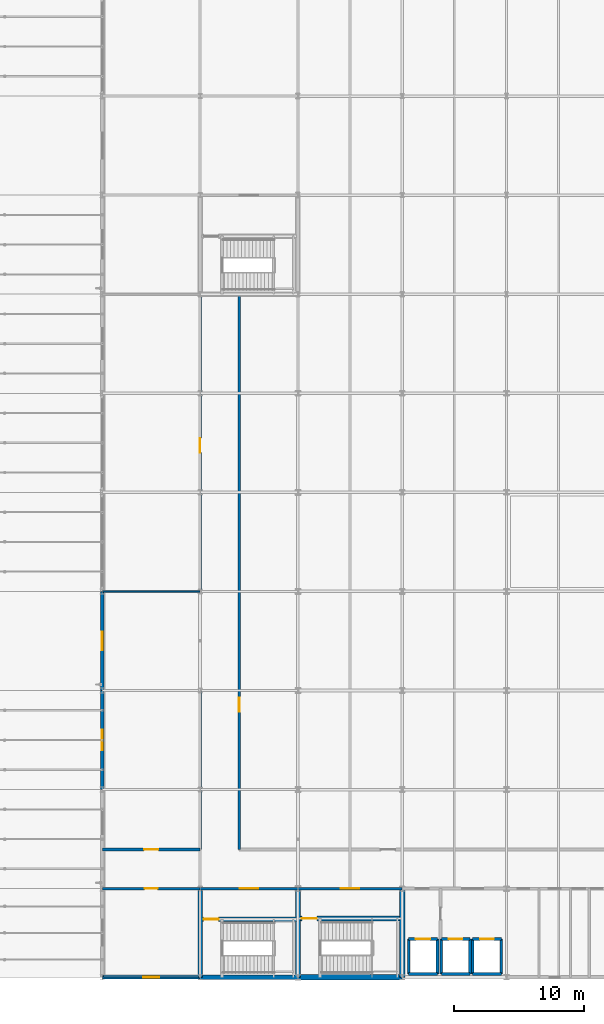
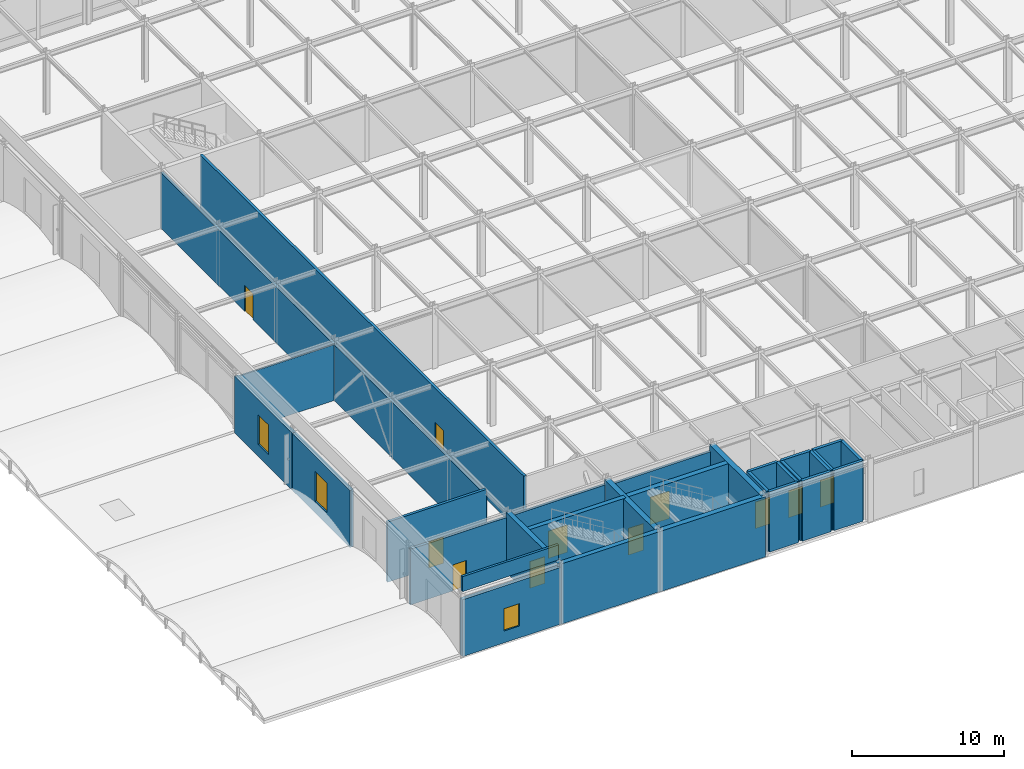
# One storey, part 57 of 79: 30 walls, 11 doors, 3 windows, 14 openings.
"""IFC4 building model written with IfcOpenShell, lengths in metres."""

from ifc_helpers import new_model, si_unit, direction, frame, frame_2d, origin, place, context, subcontext, project, spatial, rectangle, extrude, material, layer, layer_set, type_object, element, fill, save


model = new_model("IFC4")

# Units and contexts
model_context = context("Model", 3, precision=1e-05, world=origin(), true_north=direction((0.0, 1.0)))
body_context = subcontext(model_context, "Body", "Model", "MODEL_VIEW")
ifc_project = project(units=[si_unit("LENGTHUNIT", "METRE"), si_unit("AREAUNIT", "SQUARE_METRE"), si_unit("VOLUMEUNIT", "CUBIC_METRE"), si_unit("PLANEANGLEUNIT", "RADIAN"), si_unit("MASSUNIT", "GRAM", prefix="KILO")], contexts=[model_context])

# Site, building, storey
site_placement = place(None, origin())
site = spatial("IfcSite", under=ifc_project, at=site_placement, CompositionType="ELEMENT")
building_placement = place(site_placement, origin())
building = spatial("IfcBuilding", under=site, at=building_placement, Name="Shalkamar Park Central Library", CompositionType="ELEMENT")
storey_placement = place(building_placement, frame((0.0, 0.0, 10.5)))
storey = spatial("IfcBuildingStorey", under=building, at=storey_placement, Name="L03", CompositionType="ELEMENT", Elevation=10.5)

# Wall, opening, door
ifc_material_1 = material(Name="Fire-rated corridor partition wall", Category="masonry")
ifc_layer_1 = layer(ifc_material_1, 0.199951171875)
ifc_layer_set_1 = layer_set([ifc_layer_1], Name="CorridorFireWall_200")
wall_type_1 = type_object("IfcWallType", Name="Corridor Fire Wall 200", PredefinedType="PARTITIONING", material=ifc_layer_set_1)
wall_1_placement = place(storey_placement, frame((165.0, 255.199951171875, 0.0), z_axis=(0.0, 0.0, 1.0), x_axis=(1.0, 0.0, 0.0)))
wall_1 = element("IfcWall", 1, at=wall_1_placement, inside=storey, type_object=wall_type_1, Name="CORE-T1 Vestibule North Wall (L03)", PredefinedType="PARTITIONING", context=body_context, shape_type="SweptSolid", body=[
    extrude(rectangle(XDim=8.0, YDim=0.199951171875, at=frame_2d((4.0, 0.0))), origin(), (0.0, 0.0, 1.0), 4.337890625),
])
opening_1_placement = place(wall_1_placement, frame((3.27490234375, 0.0, 0.0)))
opening_1 = element("IfcOpeningElement", 2, at=opening_1_placement, cuts=wall_1, Name="Opening DR-ST-T1-L03-VEST", PredefinedType="OPENING", context=body_context, shape_type="SweptSolid", body=[
    extrude(rectangle(XDim=1.449951171875, YDim=2.199951171875, at=frame_2d((0.72509765625, 1.10009765625))), frame((0.0, 0.11474609375, 0.0), z_axis=(0.0, -1.0, 0.0), x_axis=(1.0, 0.0, 0.0)), (0.0, 0.0, 1.0), 0.229736328125),
])
ifc_material_2 = material(Name="Steel S355", Category="steel")
door_type_1 = type_object("IfcDoorType", Name="Stair Vestibule Door 1450x2200", OperationType="DOUBLE_DOOR_SINGLE_SWING", PredefinedType="DOOR", material=ifc_material_2)
door_1_placement = place(opening_1_placement, frame((1.449951171875, 0.0, 0.0), z_axis=(0.0, 0.0, 1.0), x_axis=(-1.0, 0.0, 0.0)))
door_1 = element("IfcDoor", 3, at=door_1_placement, inside=storey, type_object=door_type_1, Name="Protected Stair ST-T1 Vestibule Door (L03)", OperationType="DOUBLE_DOOR_SINGLE_SWING", OverallHeight=2.199951171875, OverallWidth=1.449951171875, PredefinedType="DOOR", context=body_context, shape_type="SweptSolid", body=[
    extrude(rectangle(XDim=1.449951171875, YDim=2.199951171875, at=frame_2d((0.72509765625, 1.10009765625))), frame((0.0, 0.02490234375, 0.0), z_axis=(0.0, -1.0, 0.0), x_axis=(1.0, 0.0, 0.0)), (0.0, 0.0, 1.0), 0.050048828125),
])
fill(opening_1, door_1)

wall_2_placement = place(storey_placement, frame((157.5, 255.199951171875, 0.0), z_axis=(0.0, 0.0, 1.0), x_axis=(1.0, 0.0, 0.0)))
wall_2 = element("IfcWall", 4, at=wall_2_placement, inside=storey, type_object=wall_type_1, Name="CORE-P1 Vestibule North Wall (L03)", PredefinedType="PARTITIONING", context=body_context, shape_type="SweptSolid", body=[
    extrude(rectangle(XDim=7.5, YDim=0.199951171875, at=frame_2d((3.75, 0.0))), origin(), (0.0, 0.0, 1.0), 4.47802734375),
])
opening_2_placement = place(wall_2_placement, frame((3.02490234375, 0.0, 0.0)))
opening_2 = element("IfcOpeningElement", 5, at=opening_2_placement, cuts=wall_2, Name="Opening DR-ST-P1-L03-VEST", PredefinedType="OPENING", context=body_context, shape_type="SweptSolid", body=[
    extrude(rectangle(XDim=1.449951171875, YDim=2.199951171875, at=frame_2d((0.72509765625, 1.10009765625))), frame((0.0, 0.11474609375, 0.0), z_axis=(0.0, -1.0, 0.0), x_axis=(1.0, 0.0, 0.0)), (0.0, 0.0, 1.0), 0.229736328125),
])
door_2_placement = place(opening_2_placement, frame((1.449951171875, 0.0, 0.0), z_axis=(0.0, 0.0, 1.0), x_axis=(-1.0, 0.0, 0.0)))
door_2 = element("IfcDoor", 6, at=door_2_placement, inside=storey, type_object=door_type_1, Name="Protected Stair ST-P1 Vestibule Door (L03)", OperationType="DOUBLE_DOOR_SINGLE_SWING", OverallHeight=2.199951171875, OverallWidth=1.449951171875, PredefinedType="DOOR", context=body_context, shape_type="SweptSolid", body=[
    extrude(rectangle(XDim=1.449951171875, YDim=2.199951171875, at=frame_2d((0.72509765625, 1.10009765625))), frame((0.0, 0.02490234375, 0.0), z_axis=(0.0, -1.0, 0.0), x_axis=(1.0, 0.0, 0.0)), (0.0, 0.0, 1.0), 0.050048828125),
])
fill(opening_2, door_2)

wall_3_placement = place(storey_placement, frame((150.0, 255.199951171875, 0.0), z_axis=(0.0, 0.0, 1.0), x_axis=(1.0, 0.0, 0.0)))
wall_3 = element("IfcWall", 7, at=wall_3_placement, inside=storey, type_object=wall_type_1, Name="Interior Partition WL-INT-L03-013", PredefinedType="PARTITIONING", context=body_context, shape_type="SweptSolid", body=[
    extrude(rectangle(XDim=7.5, YDim=0.199951171875, at=frame_2d((3.75, 0.0))), origin(), (0.0, 0.0, 1.0), 4.47802734375),
])
opening_3_placement = place(wall_3_placement, frame((3.25, 0.0, 0.0)))
opening_3 = element("IfcOpeningElement", 8, at=opening_3_placement, cuts=wall_3, Name="Opening DR-L03-013", PredefinedType="OPENING", context=body_context, shape_type="SweptSolid", body=[
    extrude(rectangle(XDim=1.0, YDim=2.10009765625, at=frame_2d((0.5, 1.050048828125))), frame((0.0, 0.11474609375, 0.0), z_axis=(0.0, -1.0, 0.0), x_axis=(1.0, 0.0, 0.0)), (0.0, 0.0, 1.0), 0.229736328125),
])
door_type_2 = type_object("IfcDoorType", Name="Interior Door Single 1000x2100", OperationType="NOTDEFINED", PredefinedType="DOOR", material=ifc_material_2)
door_3_placement = place(opening_3_placement, frame((1.0, 0.0, 0.0), z_axis=(0.0, 0.0, 1.0), x_axis=(-1.0, 0.0, 0.0)))
door_3 = element("IfcDoor", 9, at=door_3_placement, inside=storey, type_object=door_type_2, Name="L03 South West Office Door", OperationType="SINGLE_SWING_LEFT", OverallHeight=2.10009765625, OverallWidth=1.0, PredefinedType="DOOR", context=body_context, shape_type="SweptSolid", body=[
    extrude(rectangle(XDim=1.0, YDim=2.10009765625, at=frame_2d((0.5, 1.050048828125))), frame((0.0, 0.02490234375, 0.0), z_axis=(0.0, -1.0, 0.0), x_axis=(1.0, 0.0, 0.0)), (0.0, 0.0, 1.0), 0.050048828125),
])
fill(opening_3, door_3)

wall_4_placement = place(storey_placement, frame((150.0, 258.199951171875, 0.0), z_axis=(0.0, 0.0, 1.0), x_axis=(1.0, 0.0, 0.0)))
wall_4 = element("IfcWall", 10, at=wall_4_placement, inside=storey, type_object=wall_type_1, Name="Interior Partition WL-INT-L03-018", PredefinedType="PARTITIONING", context=body_context, shape_type="SweptSolid", body=[
    extrude(rectangle(XDim=7.5, YDim=0.199951171875, at=frame_2d((3.75, 0.0))), origin(), (0.0, 0.0, 1.0), 4.840087890625),
])
opening_4_placement = place(wall_4_placement, frame((3.199951171875, 0.0, 0.0)))
opening_4 = element("IfcOpeningElement", 11, at=opening_4_placement, cuts=wall_4, Name="Opening DR-L03-018", PredefinedType="OPENING", context=body_context, shape_type="SweptSolid", body=[
    extrude(rectangle(XDim=1.10009765625, YDim=2.10009765625, at=frame_2d((0.550048828125, 1.050048828125))), frame((0.0, 0.11474609375, 0.0), z_axis=(0.0, -1.0, 0.0), x_axis=(1.0, 0.0, 0.0)), (0.0, 0.0, 1.0), 0.229736328125),
])
door_type_3 = type_object("IfcDoorType", Name="Interior Door Single 1100x2100", OperationType="NOTDEFINED", PredefinedType="DOOR", material=ifc_material_2)
door_4_placement = place(opening_4_placement, origin())
door_4 = element("IfcDoor", 12, at=door_4_placement, inside=storey, type_object=door_type_3, Name="Hygiene Restoration Lab Door", OperationType="SINGLE_SWING_LEFT", OverallHeight=2.10009765625, OverallWidth=1.10009765625, PredefinedType="DOOR", context=body_context, shape_type="SweptSolid", body=[
    extrude(rectangle(XDim=1.10009765625, YDim=2.10009765625, at=frame_2d((0.550048828125, 1.050048828125))), frame((0.0, 0.02490234375, 0.0), z_axis=(0.0, -1.0, 0.0), x_axis=(1.0, 0.0, 0.0)), (0.0, 0.0, 1.0), 0.050048828125),
])
fill(opening_4, door_4)

wall_5_placement = place(storey_placement, frame((157.5, 258.199951171875, 0.0), z_axis=(0.0, 0.0, 1.0), x_axis=(0.0, 1.0, 0.0)))
wall_5 = element("IfcWall", 13, at=wall_5_placement, inside=storey, type_object=wall_type_1, Name="Interior Partition WL-INT-L03-019", PredefinedType="PARTITIONING", context=body_context, shape_type="SweptSolid", body=[
    extrude(rectangle(XDim=42.60009765625, YDim=0.199951171875, at=frame_2d((21.300048828125, 0.0))), origin(), (0.0, 0.0, 1.0), 4.47802734375),
])
opening_5_placement = place(wall_5_placement, frame((30.449951171875, 0.0, 0.0)))
opening_5 = element("IfcOpeningElement", 14, at=opening_5_placement, cuts=wall_5, Name="Opening DR-L03-019", PredefinedType="OPENING", context=body_context, shape_type="SweptSolid", body=[
    extrude(rectangle(XDim=1.10009765625, YDim=2.10009765625, at=frame_2d((0.550048828125, 1.050048828125))), frame((0.0, 0.11474609375, 0.0), z_axis=(0.0, -1.0, 0.0), x_axis=(1.0, 0.0, 0.0)), (0.0, 0.0, 1.0), 0.229736328125),
])
door_5_placement = place(opening_5_placement, origin())
door_5 = element("IfcDoor", 15, at=door_5_placement, inside=storey, type_object=door_type_3, Name="Bookbinding Studio Door", OperationType="SINGLE_SWING_RIGHT", OverallHeight=2.10009765625, OverallWidth=1.10009765625, PredefinedType="DOOR", context=body_context, shape_type="SweptSolid", body=[
    extrude(rectangle(XDim=1.10009765625, YDim=2.10009765625, at=frame_2d((0.550048828125, 1.050048828125))), frame((0.0, 0.02490234375, 0.0), z_axis=(0.0, -1.0, 0.0), x_axis=(1.0, 0.0, 0.0)), (0.0, 0.0, 1.0), 0.050048828125),
])
fill(opening_5, door_5)

wall_6_placement = place(storey_placement, frame((160.5, 258.199951171875, 0.0), z_axis=(0.0, 0.0, 1.0), x_axis=(0.0, 1.0, 0.0)))
wall_6 = element("IfcWall", 16, at=wall_6_placement, inside=storey, type_object=wall_type_1, Name="Interior Partition WL-INT-L03-022", PredefinedType="PARTITIONING", context=body_context, shape_type="SweptSolid", body=[
    extrude(rectangle(XDim=42.60009765625, YDim=0.199951171875, at=frame_2d((21.300048828125, 0.0))), origin(), (0.0, 0.0, 1.0), 4.840087890625),
])
opening_6_placement = place(wall_6_placement, frame((10.56005859375, 0.0, 0.0)))
opening_6 = element("IfcOpeningElement", 17, at=opening_6_placement, cuts=wall_6, Name="Opening DR-L03-023", PredefinedType="OPENING", context=body_context, shape_type="SweptSolid", body=[
    extrude(rectangle(XDim=1.10009765625, YDim=2.10009765625, at=frame_2d((0.550048828125, 1.050048828125))), frame((0.0, 0.11474609375, 0.0), z_axis=(0.0, -1.0, 0.0), x_axis=(1.0, 0.0, 0.0)), (0.0, 0.0, 1.0), 0.229736328125),
])
door_6_placement = place(opening_6_placement, frame((1.10009765625, 0.0, 0.0), z_axis=(0.0, 0.0, 1.0), x_axis=(-1.0, 0.0, 0.0)))
door_6 = element("IfcDoor", 18, at=door_6_placement, inside=storey, type_object=door_type_3, Name="Digitization Studio West Door", OperationType="SINGLE_SWING_RIGHT", OverallHeight=2.10009765625, OverallWidth=1.10009765625, PredefinedType="DOOR", context=body_context, shape_type="SweptSolid", body=[
    extrude(rectangle(XDim=1.10009765625, YDim=2.10009765625, at=frame_2d((0.550048828125, 1.050048828125))), frame((0.0, 0.02490234375, 0.0), z_axis=(0.0, -1.0, 0.0), x_axis=(1.0, 0.0, 0.0)), (0.0, 0.0, 1.0), 0.050048828125),
])
fill(opening_6, door_6)

# Walls
ifc_material_3 = material(Name="Concrete C40/50", Category="concrete")
ifc_layer_2 = layer(ifc_material_3, 0.219970703125)
ifc_layer_set_2 = layer_set([ifc_layer_2], Name="Concrete C40/50")
wall_type_2 = type_object("IfcWallType", Name="Lift Hoistway Shear Wall 220", PredefinedType="SHEAR", material=ifc_layer_set_2)
wall_7_placement = place(storey_placement, frame((173.5, 248.64990234375, 0.0), z_axis=(0.0, 0.0, 1.0), x_axis=(1.0, 0.0, 0.0)))
element("IfcWall", 19, at=wall_7_placement, inside=storey, type_object=wall_type_2, Name="Lift FFL-01 Hoistway South Wall (L03)", PredefinedType="SHEAR", context=body_context, shape_type="SweptSolid", body=[
    extrude(rectangle(XDim=2.199951171875, YDim=0.219970703125, at=frame_2d((1.10009765625, 0.0))), origin(), (0.0, 0.0, 1.0), 4.840087890625),
])
for number, where, z_axis, x_axis, name in (
    (20, (173.5, 248.64990234375, 0.0), (0.0, 0.0, 1.0), (0.0, 1.0, 0.0), "Lift FFL-01 Hoistway West Wall (L03)"),
    (21, (175.699951171875, 248.64990234375, 0.0), (0.0, 0.0, 1.0), (0.0, 1.0, 0.0), "Lift FFL-01 Hoistway East Wall (L03)"),
):
    element("IfcWall", number, at=place(storey_placement, frame(where, z_axis=z_axis, x_axis=x_axis)), inside=storey, type_object=wall_type_2, Name=name, PredefinedType="SHEAR", context=body_context, shape_type="SweptSolid", body=[
        extrude(rectangle(XDim=2.7001953125, YDim=0.219970703125, at=frame_2d((1.35009765625, 0.0))), origin(), (0.0, 0.0, 1.0), 4.840087890625),
    ])

# Wall, opening, door
wall_8_placement = place(storey_placement, frame((173.5, 251.35009765625, 0.0), z_axis=(0.0, 0.0, 1.0), x_axis=(1.0, 0.0, 0.0)))
wall_8 = element("IfcWall", 22, at=wall_8_placement, inside=storey, type_object=wall_type_2, Name="Lift FFL-01 Hoistway Front Wall (L03)", PredefinedType="SHEAR", context=body_context, shape_type="SweptSolid", body=[
    extrude(rectangle(XDim=2.199951171875, YDim=0.219970703125, at=frame_2d((1.10009765625, 0.0))), origin(), (0.0, 0.0, 1.0), 4.840087890625),
])
opening_7_placement = place(wall_8_placement, frame((0.550048828125, 0.0, 0.0)))
opening_7 = element("IfcOpeningElement", 23, at=opening_7_placement, cuts=wall_8, Name="Opening LD-FFL-01-L03", PredefinedType="OPENING", context=body_context, shape_type="SweptSolid", body=[
    extrude(rectangle(XDim=1.10009765625, YDim=2.14990234375, at=frame_2d((0.550048828125, 1.074951171875))), frame((0.0, 0.125, 0.0), z_axis=(0.0, -1.0, 0.0), x_axis=(1.0, 0.0, 0.0)), (0.0, 0.0, 1.0), 0.249755859375),
])
door_type_4 = type_object("IfcDoorType", Name="Fire Lift Landing Door 1100x2150", OperationType="DOUBLE_DOOR_SLIDING", PredefinedType="USERDEFINED", material=ifc_material_2)
door_7_placement = place(opening_7_placement, origin())
door_7 = element("IfcDoor", 24, at=door_7_placement, inside=storey, type_object=door_type_4, Name="Lift FFL-01 Sliding Landing Door (L03)", ObjectType="SLIDING LANDING DOOR", OperationType="DOUBLE_DOOR_SLIDING", OverallHeight=2.14990234375, OverallWidth=1.10009765625, PredefinedType="USERDEFINED", context=body_context, shape_type="SweptSolid", body=[
    extrude(rectangle(XDim=1.10009765625, YDim=2.14990234375, at=frame_2d((0.550048828125, 1.074951171875))), frame((0.0, 0.02490234375, 0.0), z_axis=(0.0, -1.0, 0.0), x_axis=(1.0, 0.0, 0.0)), (0.0, 0.0, 1.0), 0.050048828125),
])
fill(opening_7, door_7)

# Walls
wall_9_placement = place(storey_placement, frame((176.0, 248.64990234375, 0.0), z_axis=(0.0, 0.0, 1.0), x_axis=(1.0, 0.0, 0.0)))
element("IfcWall", 25, at=wall_9_placement, inside=storey, type_object=wall_type_2, Name="Lift LT-01 Hoistway South Wall (L03)", PredefinedType="SHEAR", context=body_context, shape_type="SweptSolid", body=[
    extrude(rectangle(XDim=2.199951171875, YDim=0.219970703125, at=frame_2d((1.10009765625, 0.0))), origin(), (0.0, 0.0, 1.0), 4.840087890625),
])
for number, where, z_axis, x_axis, name in (
    (26, (176.0, 248.64990234375, 0.0), (0.0, 0.0, 1.0), (0.0, 1.0, 0.0), "Lift LT-01 Hoistway West Wall (L03)"),
    (27, (178.199951171875, 248.64990234375, 0.0), (0.0, 0.0, 1.0), (0.0, 1.0, 0.0), "Lift LT-01 Hoistway East Wall (L03)"),
):
    element("IfcWall", number, at=place(storey_placement, frame(where, z_axis=z_axis, x_axis=x_axis)), inside=storey, type_object=wall_type_2, Name=name, PredefinedType="SHEAR", context=body_context, shape_type="SweptSolid", body=[
        extrude(rectangle(XDim=2.7001953125, YDim=0.219970703125, at=frame_2d((1.35009765625, 0.0))), origin(), (0.0, 0.0, 1.0), 4.840087890625),
    ])

# Wall, opening, door
wall_10_placement = place(storey_placement, frame((176.0, 251.35009765625, 0.0), z_axis=(0.0, 0.0, 1.0), x_axis=(1.0, 0.0, 0.0)))
wall_10 = element("IfcWall", 28, at=wall_10_placement, inside=storey, type_object=wall_type_2, Name="Lift LT-01 Hoistway Front Wall (L03)", PredefinedType="SHEAR", context=body_context, shape_type="SweptSolid", body=[
    extrude(rectangle(XDim=2.199951171875, YDim=0.219970703125, at=frame_2d((1.10009765625, 0.0))), origin(), (0.0, 0.0, 1.0), 4.840087890625),
])
opening_8_placement = place(wall_10_placement, frame((0.574951171875, 0.0, 0.0)))
opening_8 = element("IfcOpeningElement", 29, at=opening_8_placement, cuts=wall_10, Name="Opening LD-LT-01-L03", PredefinedType="OPENING", context=body_context, shape_type="SweptSolid", body=[
    extrude(rectangle(XDim=1.050048828125, YDim=2.14990234375, at=frame_2d((0.52490234375, 1.074951171875))), frame((0.0, 0.125, 0.0), z_axis=(0.0, -1.0, 0.0), x_axis=(1.0, 0.0, 0.0)), (0.0, 0.0, 1.0), 0.249755859375),
])
door_type_5 = type_object("IfcDoorType", Name="Passenger Lift Landing Door 1050x2150", OperationType="DOUBLE_DOOR_SLIDING", PredefinedType="USERDEFINED", material=ifc_material_2)
door_8_placement = place(opening_8_placement, origin())
door_8 = element("IfcDoor", 30, at=door_8_placement, inside=storey, type_object=door_type_5, Name="Lift LT-01 Sliding Landing Door (L03)", ObjectType="SLIDING LANDING DOOR", OperationType="DOUBLE_DOOR_SLIDING", OverallHeight=2.14990234375, OverallWidth=1.050048828125, PredefinedType="USERDEFINED", context=body_context, shape_type="SweptSolid", body=[
    extrude(rectangle(XDim=1.050048828125, YDim=2.14990234375, at=frame_2d((0.52490234375, 1.074951171875))), frame((0.0, 0.02490234375, 0.0), z_axis=(0.0, -1.0, 0.0), x_axis=(1.0, 0.0, 0.0)), (0.0, 0.0, 1.0), 0.050048828125),
])
fill(opening_8, door_8)

# Walls
wall_11_placement = place(storey_placement, frame((178.39990234375, 248.64990234375, 0.0), z_axis=(0.0, 0.0, 1.0), x_axis=(1.0, 0.0, 0.0)))
element("IfcWall", 31, at=wall_11_placement, inside=storey, type_object=wall_type_2, Name="Lift LT-02 Hoistway South Wall (L03)", PredefinedType="SHEAR", context=body_context, shape_type="SweptSolid", body=[
    extrude(rectangle(XDim=2.2001953125, YDim=0.219970703125, at=frame_2d((1.10009765625, 0.0))), origin(), (0.0, 0.0, 1.0), 4.840087890625),
])
for number, where, z_axis, x_axis, name in (
    (32, (178.39990234375, 248.64990234375, 0.0), (0.0, 0.0, 1.0), (0.0, 1.0, 0.0), "Lift LT-02 Hoistway West Wall (L03)"),
    (33, (180.60009765625, 248.64990234375, 0.0), (0.0, 0.0, 1.0), (0.0, 1.0, 0.0), "Lift LT-02 Hoistway East Wall (L03)"),
):
    element("IfcWall", number, at=place(storey_placement, frame(where, z_axis=z_axis, x_axis=x_axis)), inside=storey, type_object=wall_type_2, Name=name, PredefinedType="SHEAR", context=body_context, shape_type="SweptSolid", body=[
        extrude(rectangle(XDim=2.7001953125, YDim=0.219970703125, at=frame_2d((1.35009765625, 0.0))), origin(), (0.0, 0.0, 1.0), 4.840087890625),
    ])

# Wall, opening, door
wall_12_placement = place(storey_placement, frame((178.39990234375, 251.35009765625, 0.0), z_axis=(0.0, 0.0, 1.0), x_axis=(1.0, 0.0, 0.0)))
wall_12 = element("IfcWall", 34, at=wall_12_placement, inside=storey, type_object=wall_type_2, Name="Lift LT-02 Hoistway Front Wall (L03)", PredefinedType="SHEAR", context=body_context, shape_type="SweptSolid", body=[
    extrude(rectangle(XDim=2.2001953125, YDim=0.219970703125, at=frame_2d((1.10009765625, 0.0))), origin(), (0.0, 0.0, 1.0), 4.840087890625),
])
opening_9_placement = place(wall_12_placement, frame((0.574951171875, 0.0, 0.0)))
opening_9 = element("IfcOpeningElement", 35, at=opening_9_placement, cuts=wall_12, Name="Opening LD-LT-02-L03", PredefinedType="OPENING", context=body_context, shape_type="SweptSolid", body=[
    extrude(rectangle(XDim=1.050048828125, YDim=2.14990234375, at=frame_2d((0.52490234375, 1.074951171875))), frame((0.0, 0.125, 0.0), z_axis=(0.0, -1.0, 0.0), x_axis=(1.0, 0.0, 0.0)), (0.0, 0.0, 1.0), 0.249755859375),
])
door_9_placement = place(opening_9_placement, origin())
door_9 = element("IfcDoor", 36, at=door_9_placement, inside=storey, type_object=door_type_5, Name="Lift LT-02 Sliding Landing Door (L03)", ObjectType="SLIDING LANDING DOOR", OperationType="DOUBLE_DOOR_SLIDING", OverallHeight=2.14990234375, OverallWidth=1.050048828125, PredefinedType="USERDEFINED", context=body_context, shape_type="SweptSolid", body=[
    extrude(rectangle(XDim=1.050048828125, YDim=2.14990234375, at=frame_2d((0.52490234375, 1.074951171875))), frame((0.0, 0.02490234375, 0.0), z_axis=(0.0, -1.0, 0.0), x_axis=(1.0, 0.0, 0.0)), (0.0, 0.0, 1.0), 0.050048828125),
])
fill(opening_9, door_9)

# Walls
ifc_layer_3 = layer(ifc_material_3, 0.35009765625)
ifc_layer_set_3 = layer_set([ifc_layer_3], Name="Concrete C40/50")
wall_type_3 = type_object("IfcWallType", Name="Podium Core Shear Wall 350", PredefinedType="SHEAR", material=ifc_layer_set_3)
wall_13_placement = place(storey_placement, frame((157.5, 248.39990234375, 0.0), z_axis=(0.0, 0.0, 1.0), x_axis=(1.0, 0.0, 0.0)))
element("IfcWall", 37, at=wall_13_placement, inside=storey, type_object=wall_type_3, Name="CORE-P1 South Shear Wall (L03)", PredefinedType="SHEAR", context=body_context, shape_type="SweptSolid", body=[
    extrude(rectangle(XDim=7.5, YDim=0.35009765625, at=frame_2d((3.75, 0.0))), origin(), (0.0, 0.0, 1.0), 4.840087890625),
])
wall_14_placement = place(storey_placement, frame((157.5, 248.39990234375, 0.0), z_axis=(0.0, 0.0, 1.0), x_axis=(0.0, 1.0, 0.0)))
element("IfcWall", 38, at=wall_14_placement, inside=storey, type_object=wall_type_3, Name="CORE-P1 West Shear Wall (L03)", PredefinedType="SHEAR", context=body_context, shape_type="SweptSolid", body=[
    extrude(rectangle(XDim=6.800048828125, YDim=0.35009765625, at=frame_2d((3.39990234375, 0.0))), origin(), (0.0, 0.0, 1.0), 4.840087890625),
])

# Wall, opening, door
wall_15_placement = place(storey_placement, frame((157.5, 252.85009765625, 0.0), z_axis=(0.0, 0.0, 1.0), x_axis=(1.0, 0.0, 0.0)))
wall_15 = element("IfcWall", 39, at=wall_15_placement, inside=storey, type_object=wall_type_3, Name="CORE-P1 Stairwell Wall (L03)", PredefinedType="SHEAR", context=body_context, shape_type="SweptSolid", body=[
    extrude(rectangle(XDim=7.5, YDim=0.35009765625, at=frame_2d((3.75, 0.0))), origin(), (0.0, 0.0, 1.0), 4.840087890625),
])
opening_10_placement = place(wall_15_placement, frame((0.27490234375, 0.0, 0.0)))
opening_10 = element("IfcOpeningElement", 40, at=opening_10_placement, cuts=wall_15, Name="Opening DR-ST-P1-L03-IN", PredefinedType="OPENING", context=body_context, shape_type="SweptSolid", body=[
    extrude(rectangle(XDim=1.14990234375, YDim=2.14990234375, at=frame_2d((0.574951171875, 1.074951171875))), frame((0.0, 0.18994140625, 0.0), z_axis=(0.0, -1.0, 0.0), x_axis=(1.0, 0.0, 0.0)), (0.0, 0.0, 1.0), 0.3798828125),
])
door_type_6 = type_object("IfcDoorType", Name="Stair Core Exit Door 1150x2150", OperationType="NOTDEFINED", PredefinedType="DOOR", material=ifc_material_2)
door_10_placement = place(opening_10_placement, frame((1.14990234375, 0.0, 0.0), z_axis=(0.0, 0.0, 1.0), x_axis=(-1.0, 0.0, 0.0)))
door_10 = element("IfcDoor", 41, at=door_10_placement, inside=storey, type_object=door_type_6, Name="Protected Stair ST-P1 Exit Door (L03)", OperationType="SINGLE_SWING_RIGHT", OverallHeight=2.14990234375, OverallWidth=1.14990234375, PredefinedType="DOOR", context=body_context, shape_type="SweptSolid", body=[
    extrude(rectangle(XDim=1.14990234375, YDim=2.14990234375, at=frame_2d((0.574951171875, 1.074951171875))), frame((0.0, 0.02490234375, 0.0), z_axis=(0.0, -1.0, 0.0), x_axis=(1.0, 0.0, 0.0)), (0.0, 0.0, 1.0), 0.050048828125),
])
fill(opening_10, door_10)

# Walls
ifc_material_4 = material(Name="Concrete C35/45 precast", Category="concrete")
ifc_layer_4 = layer(ifc_material_4, 0.179931640625)
ifc_layer_set_4 = layer_set([ifc_layer_4], Name="Concrete C35/45 precast")
wall_type_4 = type_object("IfcWallType", Name="Roof Parapet Wall 180", PredefinedType="PARAPET", material=ifc_layer_set_4)
wall_16_placement = place(storey_placement, frame((150.10009765625, 248.5, 5.10009765625), z_axis=(0.0, 0.0, 1.0), x_axis=(1.0, 0.0, 0.0)))
element("IfcWall", 42, at=wall_16_placement, inside=storey, type_object=wall_type_4, Name="Roof Parapet Wall L03-18", PredefinedType="PARAPET", context=body_context, shape_type="SweptSolid", body=[
    extrude(rectangle(XDim=7.2998046875, YDim=0.179931640625, at=frame_2d((3.64990234375, 0.0))), origin(), (0.0, 0.0, 1.0), 1.199951171875),
])
ifc_material_5 = material(Name="Lightweight acoustic stud partition", Category="masonry")
ifc_layer_5 = layer(ifc_material_5, 0.1201171875)
ifc_layer_set_5 = layer_set([ifc_layer_5], Name="StandardPartition_120")
wall_type_5 = type_object("IfcWallType", Name="Standard Partition 120", PredefinedType="PARTITIONING", material=ifc_layer_set_5)
wall_17_placement = place(storey_placement, frame((150.0, 278.0, 0.0), z_axis=(0.0, 0.0, 1.0), x_axis=(1.0, 0.0, 0.0)))
element("IfcWall", 43, at=wall_17_placement, inside=storey, type_object=wall_type_5, Name="Interior Partition WL-INT-L03-020", PredefinedType="PARTITIONING", context=body_context, shape_type="SweptSolid", body=[
    extrude(rectangle(XDim=7.5, YDim=0.1201171875, at=frame_2d((3.75, 0.0))), origin(), (0.0, 0.0, 1.0), 4.47802734375),
])
ifc_layer_6 = layer(ifc_material_3, 0.39990234375)
ifc_layer_set_6 = layer_set([ifc_layer_6], Name="Concrete C40/50")
wall_type_6 = type_object("IfcWallType", Name="Tower Core Shear Wall 400", PredefinedType="SHEAR", material=ifc_layer_set_6)
wall_18_placement = place(storey_placement, frame((165.0, 248.39990234375, 0.0), z_axis=(0.0, 0.0, 1.0), x_axis=(1.0, 0.0, 0.0)))
element("IfcWall", 44, at=wall_18_placement, inside=storey, type_object=wall_type_6, Name="CORE-T1 South Shear Wall (L03)", PredefinedType="SHEAR", context=body_context, shape_type="SweptSolid", body=[
    extrude(rectangle(XDim=8.0, YDim=0.39990234375, at=frame_2d((4.0, 0.0))), origin(), (0.0, 0.0, 1.0), 4.840087890625),
])
for number, where, z_axis, x_axis, name in (
    (45, (165.0, 248.39990234375, 0.0), (0.0, 0.0, 1.0), (0.0, 1.0, 0.0), "CORE-T1 West Shear Wall (L03)"),
    (46, (173.0, 248.39990234375, 0.0), (0.0, 0.0, 1.0), (0.0, 1.0, 0.0), "CORE-T1 East Shear Wall (L03)"),
):
    element("IfcWall", number, at=place(storey_placement, frame(where, z_axis=z_axis, x_axis=x_axis)), inside=storey, type_object=wall_type_6, Name=name, PredefinedType="SHEAR", context=body_context, shape_type="SweptSolid", body=[
        extrude(rectangle(XDim=6.800048828125, YDim=0.39990234375, at=frame_2d((3.39990234375, 0.0))), origin(), (0.0, 0.0, 1.0), 4.840087890625),
    ])

# Wall, opening, door
wall_19_placement = place(storey_placement, frame((165.0, 252.89990234375, 0.0), z_axis=(0.0, 0.0, 1.0), x_axis=(1.0, 0.0, 0.0)))
wall_19 = element("IfcWall", 47, at=wall_19_placement, inside=storey, type_object=wall_type_6, Name="CORE-T1 Stairwell Wall (L03)", PredefinedType="SHEAR", context=body_context, shape_type="SweptSolid", body=[
    extrude(rectangle(XDim=8.0, YDim=0.39990234375, at=frame_2d((4.0, 0.0))), origin(), (0.0, 0.0, 1.0), 4.840087890625),
])
opening_11_placement = place(wall_19_placement, frame((0.300048828125, 0.0, 0.0)))
opening_11 = element("IfcOpeningElement", 48, at=opening_11_placement, cuts=wall_19, Name="Opening DR-ST-T1-L03-IN", PredefinedType="OPENING", context=body_context, shape_type="SweptSolid", body=[
    extrude(rectangle(XDim=1.14990234375, YDim=2.14990234375, at=frame_2d((0.574951171875, 1.074951171875))), frame((0.0, 0.21484375, 0.0), z_axis=(0.0, -1.0, 0.0), x_axis=(1.0, 0.0, 0.0)), (0.0, 0.0, 1.0), 0.4296875),
])
door_11_placement = place(opening_11_placement, frame((1.14990234375, 0.0, 0.0), z_axis=(0.0, 0.0, 1.0), x_axis=(-1.0, 0.0, 0.0)))
door_11 = element("IfcDoor", 49, at=door_11_placement, inside=storey, type_object=door_type_6, Name="Protected Stair ST-T1 Exit Door (L03)", OperationType="SINGLE_SWING_RIGHT", OverallHeight=2.14990234375, OverallWidth=1.14990234375, PredefinedType="DOOR", context=body_context, shape_type="SweptSolid", body=[
    extrude(rectangle(XDim=1.14990234375, YDim=2.14990234375, at=frame_2d((0.574951171875, 1.074951171875))), frame((0.0, 0.02490234375, 0.0), z_axis=(0.0, -1.0, 0.0), x_axis=(1.0, 0.0, 0.0)), (0.0, 0.0, 1.0), 0.050048828125),
])
fill(opening_11, door_11)

# Wall, opening, window
ifc_material_6 = material(Name="Travertine insulated rainscreen", Category="masonry")
ifc_layer_7 = layer(ifc_material_6, 0.2900390625)
ifc_layer_set_7 = layer_set([ifc_layer_7], Name="TravertineTerracottaWall_290")
wall_type_7 = type_object("IfcWallType", Name="Travertine Terracotta Wall 290", PredefinedType="SOLIDWALL", material=ifc_layer_set_7)
wall_20_placement = place(storey_placement, frame((150.006103515625, 248.39990234375, 0.0), z_axis=(0.0, 0.0, 1.0), x_axis=(1.0, 0.0, 0.0)))
wall_20 = element("IfcWall", 50, at=wall_20_placement, inside=storey, type_object=wall_type_7, Name="Exterior Facade Wall WL-EXT-L03-084", PredefinedType="SOLIDWALL", context=body_context, shape_type="SweptSolid", body=[
    extrude(rectangle(XDim=7.48779296875, YDim=0.2900390625, at=frame_2d((3.743896484375, 0.0))), origin(), (0.0, 0.0, 1.0), 4.568115234375),
])
opening_12_placement = place(wall_20_placement, frame((3.14404296875, 0.0, 0.949951171875)))
opening_12 = element("IfcOpeningElement", 51, at=opening_12_placement, cuts=wall_20, Name="Opening WN-16", PredefinedType="OPENING", context=body_context, shape_type="SweptSolid", body=[
    extrude(rectangle(XDim=1.199951171875, YDim=1.800048828125, at=frame_2d((0.60009765625, 0.89990234375))), frame((0.0, 0.159912109375, 0.0), z_axis=(0.0, -1.0, 0.0), x_axis=(1.0, 0.0, 0.0)), (0.0, 0.0, 1.0), 0.31982421875),
])
ifc_material_7 = material(Name="Thermally broken aluminium and triple low-e glass", Category="glass")
window_type_1 = type_object("IfcWindowType", Name="Tower Window 1200x1800", PartitioningType="SINGLE_PANEL", PredefinedType="WINDOW", material=ifc_material_7)
window_1_placement = place(opening_12_placement, origin())
window_1 = element("IfcWindow", 52, at=window_1_placement, inside=storey, type_object=window_type_1, Name="Facade Window WN-L03-049", OverallHeight=1.800048828125, OverallWidth=1.199951171875, PartitioningType="SINGLE_PANEL", PredefinedType="WINDOW", context=body_context, shape_type="SweptSolid", body=[
    extrude(rectangle(XDim=1.199951171875, YDim=1.800048828125, at=frame_2d((0.60009765625, 0.89990234375))), frame((0.0, 0.030029296875, 0.0), z_axis=(0.0, -1.0, 0.0), x_axis=(1.0, 0.0, 0.0)), (0.0, 0.0, 1.0), 0.06005859375),
])
fill(opening_12, window_1)

wall_21_placement = place(storey_placement, frame((150.0, 262.805908203125, 0.0), z_axis=(0.0, 0.0, 1.0), x_axis=(0.0, 1.0, 0.0)))
wall_21 = element("IfcWall", 53, at=wall_21_placement, inside=storey, type_object=wall_type_7, Name="Exterior Facade Wall WL-EXT-L03-096", PredefinedType="SOLIDWALL", context=body_context, shape_type="SweptSolid", body=[
    extrude(rectangle(XDim=7.588134765625, YDim=0.2900390625, at=frame_2d((3.7939453125, 0.0))), origin(), (0.0, 0.0, 1.0), 4.577880859375),
])
opening_13_placement = place(wall_21_placement, frame((2.993896484375, 0.0, 0.949951171875)))
opening_13 = element("IfcOpeningElement", 54, at=opening_13_placement, cuts=wall_21, Name="Opening WN-07", PredefinedType="OPENING", context=body_context, shape_type="SweptSolid", body=[
    extrude(rectangle(XDim=1.60009765625, YDim=2.39990234375, at=frame_2d((0.800048828125, 1.199951171875))), frame((0.0, 0.159912109375, 0.0), z_axis=(0.0, -1.0, 0.0), x_axis=(1.0, 0.0, 0.0)), (0.0, 0.0, 1.0), 0.31982421875),
])
window_type_2 = type_object("IfcWindowType", Name="Podium Window 1600x2400", PartitioningType="SINGLE_PANEL", PredefinedType="WINDOW", material=ifc_material_7)
window_2_placement = place(opening_13_placement, origin())
window_2 = element("IfcWindow", 55, at=window_2_placement, inside=storey, type_object=window_type_2, Name="Facade Window WN-L03-058", OverallHeight=2.39990234375, OverallWidth=1.60009765625, PartitioningType="SINGLE_PANEL", PredefinedType="WINDOW", context=body_context, shape_type="SweptSolid", body=[
    extrude(rectangle(XDim=1.60009765625, YDim=2.39990234375, at=frame_2d((0.800048828125, 1.199951171875))), frame((0.0, 0.030029296875, 0.0), z_axis=(0.0, -1.0, 0.0), x_axis=(1.0, 0.0, 0.0)), (0.0, 0.0, 1.0), 0.06005859375),
])
fill(opening_13, window_2)

wall_22_placement = place(storey_placement, frame((150.0, 270.406005859375, 0.0), z_axis=(0.0, 0.0, 1.0), x_axis=(0.0, 1.0, 0.0)))
wall_22 = element("IfcWall", 56, at=wall_22_placement, inside=storey, type_object=wall_type_7, Name="Exterior Facade Wall WL-EXT-L03-097", PredefinedType="SOLIDWALL", context=body_context, shape_type="SweptSolid", body=[
    extrude(rectangle(XDim=7.587890625, YDim=0.2900390625, at=frame_2d((3.7939453125, 0.0))), origin(), (0.0, 0.0, 1.0), 4.577880859375),
])
opening_14_placement = place(wall_22_placement, frame((3.093994140625, 0.0, 0.949951171875)))
opening_14 = element("IfcOpeningElement", 57, at=opening_14_placement, cuts=wall_22, Name="Opening WN-08", PredefinedType="OPENING", context=body_context, shape_type="SweptSolid", body=[
    extrude(rectangle(XDim=1.39990234375, YDim=2.39990234375, at=frame_2d((0.699951171875, 1.199951171875))), frame((0.0, 0.159912109375, 0.0), z_axis=(0.0, -1.0, 0.0), x_axis=(1.0, 0.0, 0.0)), (0.0, 0.0, 1.0), 0.31982421875),
])
window_type_3 = type_object("IfcWindowType", Name="Podium Window 1400x2400", PartitioningType="SINGLE_PANEL", PredefinedType="WINDOW", material=ifc_material_7)
window_3_placement = place(opening_14_placement, origin())
window_3 = element("IfcWindow", 58, at=window_3_placement, inside=storey, type_object=window_type_3, Name="Facade Window WN-L03-059", OverallHeight=2.39990234375, OverallWidth=1.39990234375, PartitioningType="SINGLE_PANEL", PredefinedType="WINDOW", context=body_context, shape_type="SweptSolid", body=[
    extrude(rectangle(XDim=1.39990234375, YDim=2.39990234375, at=frame_2d((0.699951171875, 1.199951171875))), frame((0.0, 0.030029296875, 0.0), z_axis=(0.0, -1.0, 0.0), x_axis=(1.0, 0.0, 0.0)), (0.0, 0.0, 1.0), 0.06005859375),
])
fill(opening_14, window_3)

save(model, "model.ifc")
